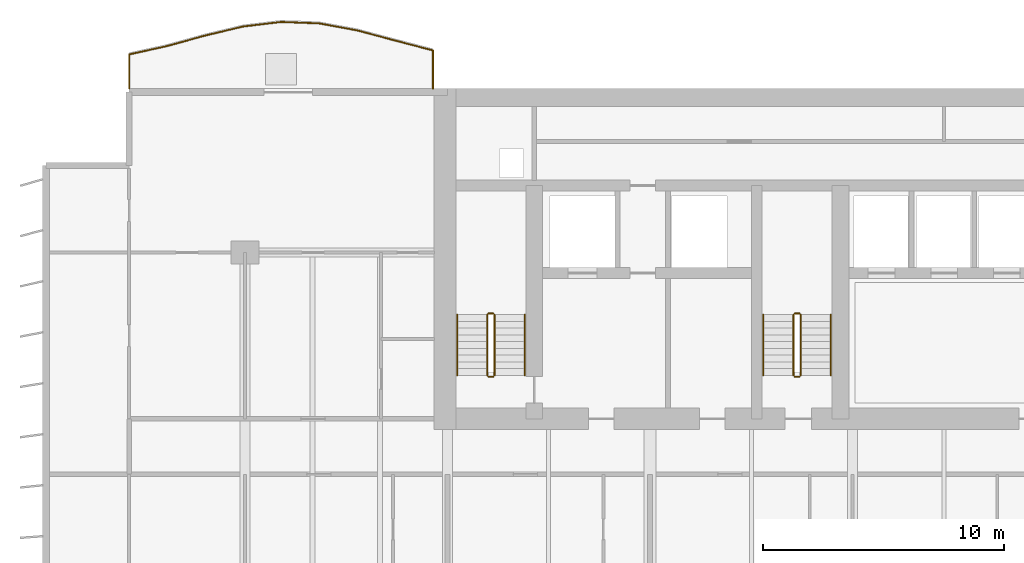
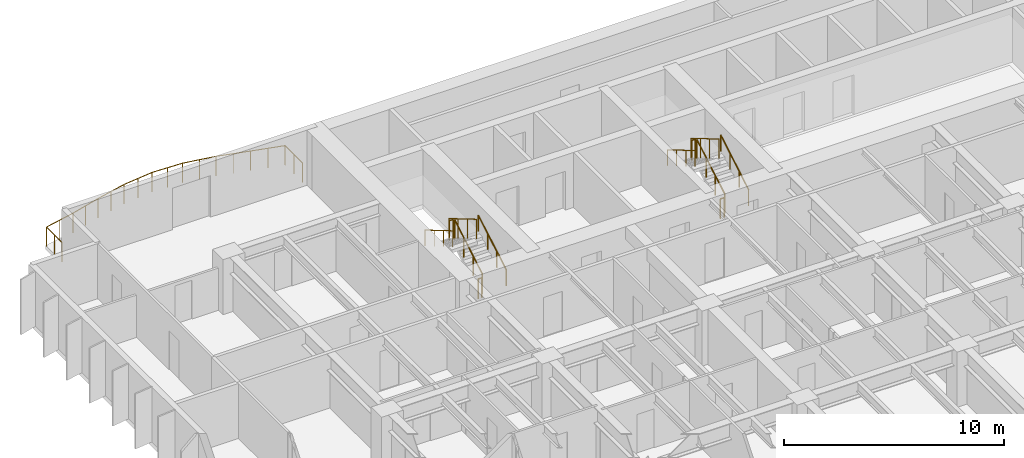
# One storey, part 15 of 17: 13 railings.
"""IFC4 building model written with IfcOpenShell, lengths in metres."""

from ifc_helpers import new_model, si_unit, direction, frame, origin, origin_2d, place, context, subcontext, project, spatial, circle, extrude, material, type_object, element, save


model = new_model("IFC4")

# Units and contexts
model_context = context("Model", 3, precision=1e-05, world=origin(), true_north=direction((0.0, 1.0)))
body_context = subcontext(model_context, "Body", "Model", "MODEL_VIEW")
ifc_project = project(units=[si_unit("LENGTHUNIT", "METRE"), si_unit("AREAUNIT", "SQUARE_METRE"), si_unit("VOLUMEUNIT", "CUBIC_METRE"), si_unit("PLANEANGLEUNIT", "RADIAN"), si_unit("MASSUNIT", "GRAM", prefix="KILO")], contexts=[model_context])

# Site, building, storey
site_placement = place(None, origin())
site = spatial("IfcSite", under=ifc_project, at=site_placement, CompositionType="ELEMENT")
building_placement = place(site_placement, origin())
building = spatial("IfcBuilding", under=site, at=building_placement, Name="Caelmar Bay Residences", CompositionType="ELEMENT")
storey_placement = place(building_placement, frame((0.0, 0.0, 49.800048828125)))
storey = spatial("IfcBuildingStorey", under=building, at=storey_placement, Name="L12", CompositionType="ELEMENT", Elevation=49.800048828125)

# Railings
ifc_material_1 = material(Name="Anodised bronze handrail with laminated hurricane glass infill", Category="glass")
railing_type_1 = type_object("IfcRailingType", Name="RL-BAL-1100", PredefinedType="BALUSTRADE", material=ifc_material_1)
railing_1_placement = place(storey_placement, frame((17.699951171875, 50.60009765625, 0.0)))
element("IfcRailing", 1, at=railing_1_placement, inside=storey, type_object=railing_type_1, Name="L12 north_west Balcony Balustrade", PredefinedType="BALUSTRADE", context=body_context, shape_type="SweptSolid", body=[
    extrude(circle(Radius=0.02392578125, at=origin_2d()), frame((0.0, 0.0, 1.076171875), z_axis=(0.0, 1.0, 0.0), x_axis=(-1.0, 0.0, 0.0)), (0.0, 0.0, 1.0), 1.5791015625),
    extrude(circle(Radius=0.02392578125, at=origin_2d()), frame((0.0, 1.5791015625, 1.076171875), z_axis=(-0.96753918199, 0.252721054356, 0.0), x_axis=(-0.252721054356, -0.96753918199, 0.0)), (0.0, 0.0, 1.0), 1.627685546875),
    extrude(circle(Radius=0.02392578125, at=origin_2d()), frame((-1.574951171875, 1.990478515625, 1.076171875), z_axis=(-0.966020859721, 0.258464114692, 0.0), x_axis=(-0.258464114692, -0.966020859721, 0.0)), (0.0, 0.0, 1.0), 1.63037109375),
    extrude(circle(Radius=0.02392578125, at=origin_2d()), frame((-3.14990234375, 2.411865234375, 1.076171875), z_axis=(-0.983570930926, 0.180522086842, 0.0), x_axis=(-0.180522086842, -0.983570930926, 0.0)), (0.0, 0.0, 1.0), 1.601318359375),
    extrude(circle(Radius=0.02392578125, at=origin_2d()), frame((-4.724853515625, 2.700927734375, 1.076171875), z_axis=(-0.999279814953, 0.03794537425, 0.0), x_axis=(-0.03794537425, -0.999279814953, 0.0)), (0.0, 0.0, 1.0), 1.576416015625),
    extrude(circle(Radius=0.02392578125, at=origin_2d()), frame((-6.300048828125, 2.7607421875, 1.076171875), z_axis=(-0.992787719874, -0.119885542363, 0.0), x_axis=(0.119885542363, -0.992787719874, 0.0)), (0.0, 0.0, 1.0), 1.58642578125),
    extrude(circle(Radius=0.02392578125, at=origin_2d()), frame((-7.875, 2.570556640625, 1.076171875), z_axis=(-0.972736601003, -0.231912710021, 0.0), x_axis=(0.231912710021, -0.972736601003, 0.0)), (0.0, 0.0, 1.0), 1.619140625),
    extrude(circle(Radius=0.02392578125, at=origin_2d()), frame((-9.449951171875, 2.195068359375, 1.076171875), z_axis=(-0.963938442099, -0.266125308538, 0.0), x_axis=(0.266125308538, -0.963938442099, 0.0)), (0.0, 0.0, 1.0), 1.6337890625),
    extrude(circle(Radius=0.02392578125, at=origin_2d()), frame((-11.02490234375, 1.76025390625, 1.076171875), z_axis=(-0.976556074066, -0.215263174287, 0.0), x_axis=(0.215263174287, -0.976556074066, 0.0)), (0.0, 0.0, 1.0), 1.61279296875),
    extrude(circle(Radius=0.02392578125, at=origin_2d()), frame((-12.599853515625, 1.4130859375, 1.076171875), z_axis=(0.0, -1.0, 0.0), x_axis=(1.0, 0.0, 0.0)), (0.0, 0.0, 1.0), 1.4130859375),
    extrude(circle(Radius=0.02099609375, at=origin_2d()), origin(), (0.0, 0.0, 1.0), 1.052001953125),
    extrude(circle(Radius=0.02099609375, at=origin_2d()), frame((0.0, 0.78955078125, 0.0)), (0.0, 0.0, 1.0), 1.052001953125),
    extrude(circle(Radius=0.02099609375, at=origin_2d()), frame((0.0, 1.5791015625, 0.0)), (0.0, 0.0, 1.0), 1.052001953125),
    extrude(circle(Radius=0.02099609375, at=origin_2d()), frame((-0.78759765625, 1.78466796875, 0.0)), (0.0, 0.0, 1.0), 1.052001953125),
    extrude(circle(Radius=0.02099609375, at=origin_2d()), frame((-1.574951171875, 1.990478515625, 0.0)), (0.0, 0.0, 1.0), 1.052001953125),
    extrude(circle(Radius=0.02099609375, at=origin_2d()), frame((-2.3623046875, 2.201171875, 0.0)), (0.0, 0.0, 1.0), 1.052001953125),
    extrude(circle(Radius=0.02099609375, at=origin_2d()), frame((-3.14990234375, 2.411865234375, 0.0)), (0.0, 0.0, 1.0), 1.052001953125),
    extrude(circle(Radius=0.02099609375, at=origin_2d()), frame((-3.9375, 2.556396484375, 0.0)), (0.0, 0.0, 1.0), 1.052001953125),
    extrude(circle(Radius=0.02099609375, at=origin_2d()), frame((-4.724853515625, 2.700927734375, 0.0)), (0.0, 0.0, 1.0), 1.052001953125),
    extrude(circle(Radius=0.02099609375, at=origin_2d()), frame((-5.512451171875, 2.73095703125, 0.0)), (0.0, 0.0, 1.0), 1.052001953125),
    extrude(circle(Radius=0.02099609375, at=origin_2d()), frame((-6.300048828125, 2.7607421875, 0.0)), (0.0, 0.0, 1.0), 1.052001953125),
    extrude(circle(Radius=0.02099609375, at=origin_2d()), frame((-7.08740234375, 2.66552734375, 0.0)), (0.0, 0.0, 1.0), 1.052001953125),
    extrude(circle(Radius=0.02099609375, at=origin_2d()), frame((-7.875, 2.570556640625, 0.0)), (0.0, 0.0, 1.0), 1.052001953125),
    extrude(circle(Radius=0.02099609375, at=origin_2d()), frame((-8.66259765625, 2.3828125, 0.0)), (0.0, 0.0, 1.0), 1.052001953125),
    extrude(circle(Radius=0.02099609375, at=origin_2d()), frame((-9.449951171875, 2.195068359375, 0.0)), (0.0, 0.0, 1.0), 1.052001953125),
    extrude(circle(Radius=0.02099609375, at=origin_2d()), frame((-10.2373046875, 1.9775390625, 0.0)), (0.0, 0.0, 1.0), 1.052001953125),
    extrude(circle(Radius=0.02099609375, at=origin_2d()), frame((-11.02490234375, 1.76025390625, 0.0)), (0.0, 0.0, 1.0), 1.052001953125),
    extrude(circle(Radius=0.02099609375, at=origin_2d()), frame((-11.8125, 1.586669921875, 0.0)), (0.0, 0.0, 1.0), 1.052001953125),
    extrude(circle(Radius=0.02099609375, at=origin_2d()), frame((-12.599853515625, 1.4130859375, 0.0)), (0.0, 0.0, 1.0), 1.052001953125),
    extrude(circle(Radius=0.02099609375, at=origin_2d()), frame((-12.599853515625, 0.70654296875, 0.0)), (0.0, 0.0, 1.0), 1.052001953125),
    extrude(circle(Radius=0.02099609375, at=origin_2d()), frame((-12.599853515625, 0.0, 0.0)), (0.0, 0.0, 1.0), 1.052001953125),
])
ifc_material_2 = material(Name="Painted galvanized steel stair guard 1100 mm", Category="steel")
railing_type_2 = type_object("IfcRailingType", Name="RL-GRD-1100", PredefinedType="GUARDRAIL", material=ifc_material_2)
railing_2_placement = place(storey_placement, frame((20.25, 38.699951171875, 0.1650390625)))
element("IfcRailing", 2, at=railing_2_placement, inside=storey, type_object=railing_type_2, Name="L12 ST1 stair guard 1", PredefinedType="GUARDRAIL", context=body_context, shape_type="SweptSolid", body=[
    extrude(circle(Radius=0.02392578125, at=origin_2d()), frame((0.0, 0.0, 1.076171875), z_axis=(0.0, 0.861560626758, 0.507654692109), x_axis=(-1.0, 0.0, 0.0)), (0.0, 0.0, 1.0), 2.925048828125),
    extrude(circle(Radius=0.02099609375, at=origin_2d()), origin(), (0.0, 0.0, 1.0), 1.052001953125),
    extrude(circle(Radius=0.02099609375, at=origin_2d()), frame((0.0, 0.840087890625, 0.494873046875)), (0.0, 0.0, 1.0), 1.052001953125),
    extrude(circle(Radius=0.02099609375, at=origin_2d()), frame((0.0, 1.679931640625, 0.989990234375)), (0.0, 0.0, 1.0), 1.052001953125),
    extrude(circle(Radius=0.02099609375, at=origin_2d()), frame((0.0, 2.52001953125, 1.48486328125)), (0.0, 0.0, 1.0), 1.052001953125),
])
railing_3_placement = place(storey_placement, frame((20.199951171875, 41.27001953125, 1.64990234375)))
element("IfcRailing", 3, at=railing_3_placement, inside=storey, type_object=railing_type_2, Name="L12 ST1 stair guard 2", PredefinedType="GUARDRAIL", context=body_context, shape_type="SweptSolid", body=[
    extrude(circle(Radius=0.02392578125, at=origin_2d()), frame((0.0, 0.0, 1.076171875), z_axis=(-1.0, 0.0, 0.0), x_axis=(0.0, -1.0, 0.0)), (0.0, 0.0, 1.0), 0.199951171875),
    extrude(circle(Radius=0.02099609375, at=origin_2d()), origin(), (0.0, 0.0, 1.0), 1.052001953125),
    extrude(circle(Radius=0.02099609375, at=origin_2d()), frame((-0.199951171875, 0.0, 0.0)), (0.0, 0.0, 1.0), 1.052001953125),
])
railing_4_placement = place(storey_placement, frame((19.949951171875, 41.219970703125, 1.81494140625)))
element("IfcRailing", 4, at=railing_4_placement, inside=storey, type_object=railing_type_2, Name="L12 ST1 stair guard 3", PredefinedType="GUARDRAIL", context=body_context, shape_type="SweptSolid", body=[
    extrude(circle(Radius=0.02392578125, at=origin_2d()), frame((0.0, 0.0, 1.076171875), z_axis=(0.0, -0.86152411907, 0.507716645641), x_axis=(1.0, 0.0, 0.0)), (0.0, 0.0, 1.0), 2.925048828125),
    extrude(circle(Radius=0.02099609375, at=origin_2d()), origin(), (0.0, 0.0, 1.0), 1.052001953125),
    extrude(circle(Radius=0.02099609375, at=origin_2d()), frame((0.0, -0.840087890625, 0.4951171875)), (0.0, 0.0, 1.0), 1.052001953125),
    extrude(circle(Radius=0.02099609375, at=origin_2d()), frame((0.0, -1.679931640625, 0.989990234375)), (0.0, 0.0, 1.0), 1.052001953125),
    extrude(circle(Radius=0.02099609375, at=origin_2d()), frame((0.0, -2.52001953125, 1.485107421875)), (0.0, 0.0, 1.0), 1.052001953125),
])
railing_5_placement = place(storey_placement, frame((20.199951171875, 38.64990234375, 0.0)))
element("IfcRailing", 5, at=railing_5_placement, inside=storey, type_object=railing_type_2, Name="L12 ST1 stair guard 4", PredefinedType="GUARDRAIL", context=body_context, shape_type="SweptSolid", body=[
    extrude(circle(Radius=0.02392578125, at=origin_2d()), frame((0.0, 0.0, 1.076171875), z_axis=(-1.0, 0.0, 0.0), x_axis=(0.0, -1.0, 0.0)), (0.0, 0.0, 1.0), 0.199951171875),
    extrude(circle(Radius=0.02099609375, at=origin_2d()), origin(), (0.0, 0.0, 1.0), 1.052001953125),
    extrude(circle(Radius=0.02099609375, at=origin_2d()), frame((-0.199951171875, 0.0, 0.0)), (0.0, 0.0, 1.0), 1.052001953125),
])
railing_6_placement = place(storey_placement, frame((32.949951171875, 38.699951171875, 0.1650390625)))
element("IfcRailing", 6, at=railing_6_placement, inside=storey, type_object=railing_type_2, Name="L12 ST3 stair guard 1", PredefinedType="GUARDRAIL", context=body_context, shape_type="SweptSolid", body=[
    extrude(circle(Radius=0.02392578125, at=origin_2d()), frame((0.0, 0.0, 1.076171875), z_axis=(0.0, 0.861560626758, 0.507654692109), x_axis=(-1.0, 0.0, 0.0)), (0.0, 0.0, 1.0), 2.925048828125),
    extrude(circle(Radius=0.02099609375, at=origin_2d()), origin(), (0.0, 0.0, 1.0), 1.052001953125),
    extrude(circle(Radius=0.02099609375, at=origin_2d()), frame((0.0, 0.840087890625, 0.494873046875)), (0.0, 0.0, 1.0), 1.052001953125),
    extrude(circle(Radius=0.02099609375, at=origin_2d()), frame((0.0, 1.679931640625, 0.989990234375)), (0.0, 0.0, 1.0), 1.052001953125),
    extrude(circle(Radius=0.02099609375, at=origin_2d()), frame((0.0, 2.52001953125, 1.48486328125)), (0.0, 0.0, 1.0), 1.052001953125),
])
railing_7_placement = place(storey_placement, frame((32.89990234375, 41.27001953125, 1.64990234375)))
element("IfcRailing", 7, at=railing_7_placement, inside=storey, type_object=railing_type_2, Name="L12 ST3 stair guard 2", PredefinedType="GUARDRAIL", context=body_context, shape_type="SweptSolid", body=[
    extrude(circle(Radius=0.02392578125, at=origin_2d()), frame((0.0, 0.0, 1.076171875), z_axis=(-1.0, 0.0, 0.0), x_axis=(0.0, -1.0, 0.0)), (0.0, 0.0, 1.0), 0.199951171875),
    extrude(circle(Radius=0.02099609375, at=origin_2d()), origin(), (0.0, 0.0, 1.0), 1.052001953125),
    extrude(circle(Radius=0.02099609375, at=origin_2d()), frame((-0.199951171875, 0.0, 0.0)), (0.0, 0.0, 1.0), 1.052001953125),
])
railing_8_placement = place(storey_placement, frame((32.64990234375, 41.219970703125, 1.81494140625)))
element("IfcRailing", 8, at=railing_8_placement, inside=storey, type_object=railing_type_2, Name="L12 ST3 stair guard 3", PredefinedType="GUARDRAIL", context=body_context, shape_type="SweptSolid", body=[
    extrude(circle(Radius=0.02392578125, at=origin_2d()), frame((0.0, 0.0, 1.076171875), z_axis=(0.0, -0.86152411907, 0.507716645641), x_axis=(1.0, 0.0, 0.0)), (0.0, 0.0, 1.0), 2.925048828125),
    extrude(circle(Radius=0.02099609375, at=origin_2d()), origin(), (0.0, 0.0, 1.0), 1.052001953125),
    extrude(circle(Radius=0.02099609375, at=origin_2d()), frame((0.0, -0.840087890625, 0.4951171875)), (0.0, 0.0, 1.0), 1.052001953125),
    extrude(circle(Radius=0.02099609375, at=origin_2d()), frame((0.0, -1.679931640625, 0.989990234375)), (0.0, 0.0, 1.0), 1.052001953125),
    extrude(circle(Radius=0.02099609375, at=origin_2d()), frame((0.0, -2.52001953125, 1.485107421875)), (0.0, 0.0, 1.0), 1.052001953125),
])
railing_9_placement = place(storey_placement, frame((32.89990234375, 38.64990234375, 0.0)))
element("IfcRailing", 9, at=railing_9_placement, inside=storey, type_object=railing_type_2, Name="L12 ST3 stair guard 4", PredefinedType="GUARDRAIL", context=body_context, shape_type="SweptSolid", body=[
    extrude(circle(Radius=0.02392578125, at=origin_2d()), frame((0.0, 0.0, 1.076171875), z_axis=(-1.0, 0.0, 0.0), x_axis=(0.0, -1.0, 0.0)), (0.0, 0.0, 1.0), 0.199951171875),
    extrude(circle(Radius=0.02099609375, at=origin_2d()), origin(), (0.0, 0.0, 1.0), 1.052001953125),
    extrude(circle(Radius=0.02099609375, at=origin_2d()), frame((-0.199951171875, 0.0, 0.0)), (0.0, 0.0, 1.0), 1.052001953125),
])
ifc_material_3 = material(Name="Brushed bronze stainless-steel tubular handrail 900 mm", Category="steel")
railing_type_3 = type_object("IfcRailingType", Name="RL-HND-900", PredefinedType="HANDRAIL", material=ifc_material_3)
railing_10_placement = place(storey_placement, frame((21.5, 38.699951171875, 0.1650390625)))
element("IfcRailing", 10, at=railing_10_placement, inside=storey, type_object=railing_type_3, Name="L12 ST1 stair handrail 1", PredefinedType="HANDRAIL", context=body_context, shape_type="SweptSolid", body=[
    extrude(circle(Radius=0.02392578125, at=origin_2d()), frame((0.0, 0.0, 0.8759765625), z_axis=(0.0, 0.861560626758, 0.507654692109), x_axis=(-1.0, 0.0, 0.0)), (0.0, 0.0, 1.0), 2.925048828125),
    extrude(circle(Radius=0.02099609375, at=origin_2d()), origin(), (0.0, 0.0, 1.0), 0.851806640625),
    extrude(circle(Radius=0.02099609375, at=origin_2d()), frame((0.0, 0.840087890625, 0.494873046875)), (0.0, 0.0, 1.0), 0.851806640625),
    extrude(circle(Radius=0.02099609375, at=origin_2d()), frame((0.0, 1.679931640625, 0.989990234375)), (0.0, 0.0, 1.0), 0.851806640625),
    extrude(circle(Radius=0.02099609375, at=origin_2d()), frame((0.0, 2.52001953125, 1.48486328125)), (0.0, 0.0, 1.0), 0.851806640625),
])
railing_11_placement = place(storey_placement, frame((18.699951171875, 41.219970703125, 1.81494140625)))
element("IfcRailing", 11, at=railing_11_placement, inside=storey, type_object=railing_type_3, Name="L12 ST1 stair handrail 2", PredefinedType="HANDRAIL", context=body_context, shape_type="SweptSolid", body=[
    extrude(circle(Radius=0.02392578125, at=origin_2d()), frame((0.0, 0.0, 0.8759765625), z_axis=(0.0, -0.86152411907, 0.507716645641), x_axis=(1.0, 0.0, 0.0)), (0.0, 0.0, 1.0), 2.925048828125),
    extrude(circle(Radius=0.02099609375, at=origin_2d()), origin(), (0.0, 0.0, 1.0), 0.851806640625),
    extrude(circle(Radius=0.02099609375, at=origin_2d()), frame((0.0, -0.840087890625, 0.4951171875)), (0.0, 0.0, 1.0), 0.851806640625),
    extrude(circle(Radius=0.02099609375, at=origin_2d()), frame((0.0, -1.679931640625, 0.989990234375)), (0.0, 0.0, 1.0), 0.851806640625),
    extrude(circle(Radius=0.02099609375, at=origin_2d()), frame((0.0, -2.52001953125, 1.485107421875)), (0.0, 0.0, 1.0), 0.851806640625),
])
railing_12_placement = place(storey_placement, frame((34.199951171875, 38.699951171875, 0.1650390625)))
element("IfcRailing", 12, at=railing_12_placement, inside=storey, type_object=railing_type_3, Name="L12 ST3 stair handrail 1", PredefinedType="HANDRAIL", context=body_context, shape_type="SweptSolid", body=[
    extrude(circle(Radius=0.02392578125, at=origin_2d()), frame((0.0, 0.0, 0.8759765625), z_axis=(0.0, 0.861560626758, 0.507654692109), x_axis=(-1.0, 0.0, 0.0)), (0.0, 0.0, 1.0), 2.925048828125),
    extrude(circle(Radius=0.02099609375, at=origin_2d()), origin(), (0.0, 0.0, 1.0), 0.851806640625),
    extrude(circle(Radius=0.02099609375, at=origin_2d()), frame((0.0, 0.840087890625, 0.494873046875)), (0.0, 0.0, 1.0), 0.851806640625),
    extrude(circle(Radius=0.02099609375, at=origin_2d()), frame((0.0, 1.679931640625, 0.989990234375)), (0.0, 0.0, 1.0), 0.851806640625),
    extrude(circle(Radius=0.02099609375, at=origin_2d()), frame((0.0, 2.52001953125, 1.48486328125)), (0.0, 0.0, 1.0), 0.851806640625),
])
railing_13_placement = place(storey_placement, frame((31.39990234375, 41.219970703125, 1.81494140625)))
element("IfcRailing", 13, at=railing_13_placement, inside=storey, type_object=railing_type_3, Name="L12 ST3 stair handrail 2", PredefinedType="HANDRAIL", context=body_context, shape_type="SweptSolid", body=[
    extrude(circle(Radius=0.02392578125, at=origin_2d()), frame((0.0, 0.0, 0.8759765625), z_axis=(0.0, -0.86152411907, 0.507716645641), x_axis=(1.0, 0.0, 0.0)), (0.0, 0.0, 1.0), 2.925048828125),
    extrude(circle(Radius=0.02099609375, at=origin_2d()), origin(), (0.0, 0.0, 1.0), 0.851806640625),
    extrude(circle(Radius=0.02099609375, at=origin_2d()), frame((0.0, -0.840087890625, 0.4951171875)), (0.0, 0.0, 1.0), 0.851806640625),
    extrude(circle(Radius=0.02099609375, at=origin_2d()), frame((0.0, -1.679931640625, 0.989990234375)), (0.0, 0.0, 1.0), 0.851806640625),
    extrude(circle(Radius=0.02099609375, at=origin_2d()), frame((0.0, -2.52001953125, 1.485107421875)), (0.0, 0.0, 1.0), 0.851806640625),
])

save(model, "model.ifc")
